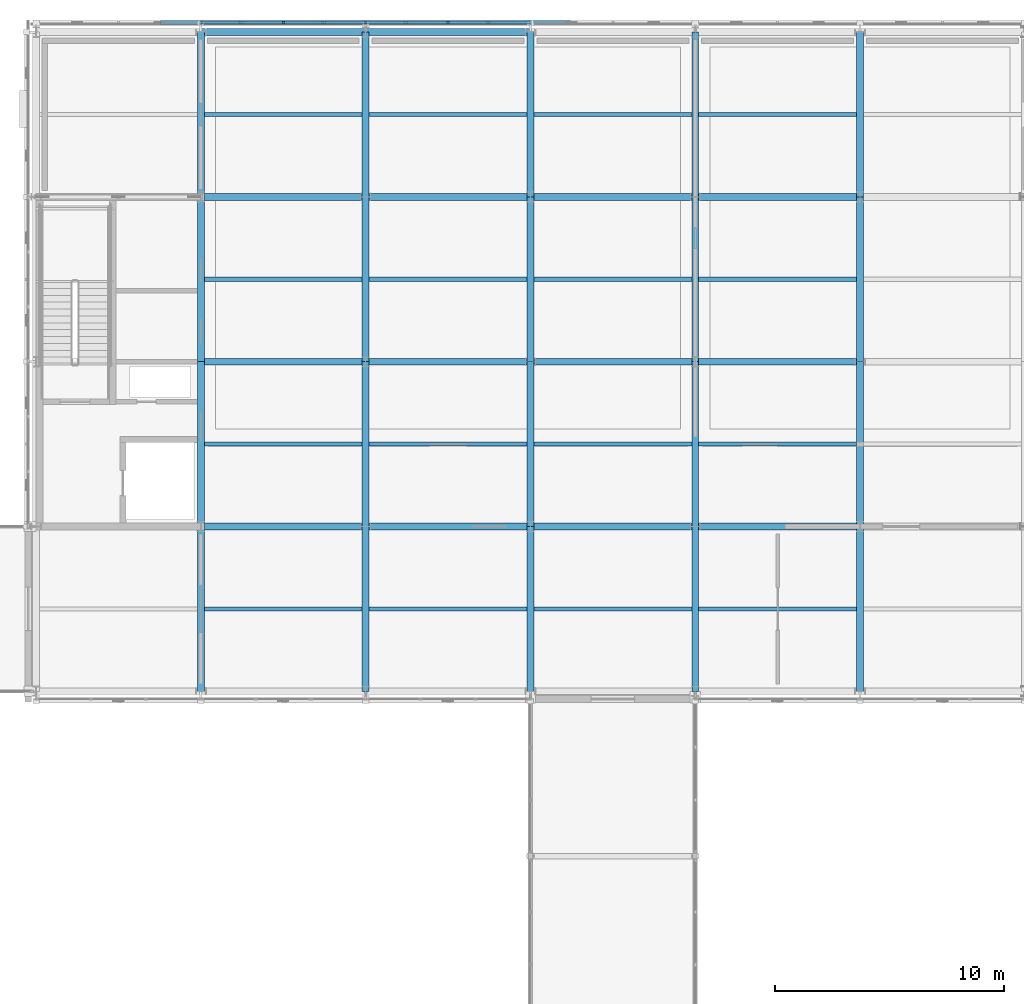
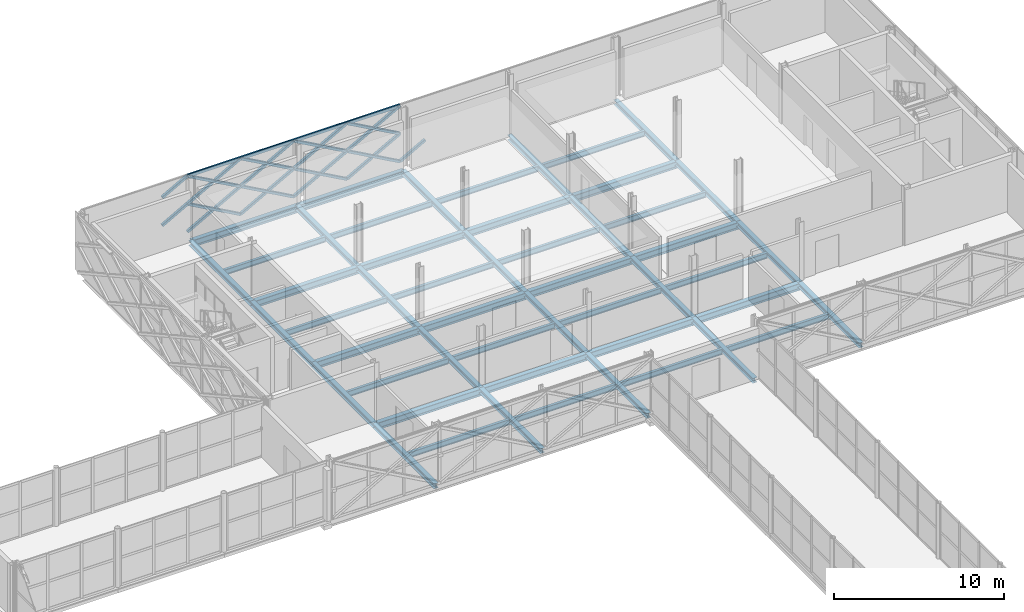
# One storey, part 63 of 146: 50 beams, 29 members.
"""IFC4 building model written with IfcOpenShell, lengths in metres."""

from ifc_helpers import new_model, si_unit, direction, frame, origin, origin_2d, place, context, subcontext, project, spatial, hollow_rectangle, i_section, extrude, material, material_profile, profile_set, type_object, element, save


model = new_model("IFC4")

# Units and contexts
model_context = context("Model", 3, precision=1e-05, world=origin(), true_north=direction((0.0, 1.0)))
body_context = subcontext(model_context, "Body", "Model", "MODEL_VIEW")
ifc_project = project(units=[si_unit("LENGTHUNIT", "METRE"), si_unit("AREAUNIT", "SQUARE_METRE"), si_unit("VOLUMEUNIT", "CUBIC_METRE"), si_unit("PLANEANGLEUNIT", "RADIAN"), si_unit("MASSUNIT", "GRAM", prefix="KILO")], contexts=[model_context])

# Site, building, storey
site_placement = place(None, origin())
site = spatial("IfcSite", under=ifc_project, at=site_placement, CompositionType="ELEMENT")
building_placement = place(site_placement, origin())
building = spatial("IfcBuilding", under=site, at=building_placement, Name="Zlatovets Crest Museum", CompositionType="ELEMENT")
storey_placement = place(building_placement, frame((0.0, 0.0, 4.5)))
storey = spatial("IfcBuildingStorey", under=building, at=storey_placement, Name="L01", CompositionType="ELEMENT", Elevation=4.5)

# Beams
ifc_material_1 = material(Name="Structural steel S355J2", Category="steel")
ifc_material_profile_1 = material_profile(ifc_material_1, i_section(OverallWidth=0.300048828125, OverallDepth=0.489990234375, WebThickness=0.011962890625, FlangeThickness=0.02294921875, FilletRadius=0.027099609375, at=origin_2d()), Name="HEA 500")
ifc_profile_set_1 = profile_set([ifc_material_profile_1], Name="Structural steel S355J2")
beam_type_1 = type_object("IfcBeamType", Name="Beam_B-01", PredefinedType="BEAM", material=ifc_profile_set_1)
for number, where, z_axis, x_axis, name in (
    (1, (64.800048828125, 93.60009765625, -0.465087890625), (1.0, 0.0, 0.0), (0.0, 1.0, 0.0), "V1 L01 Primary Girder B-01"),
    (2, (72.0, 93.60009765625, -0.465087890625), (1.0, 0.0, 0.0), (0.0, 1.0, 0.0), "V1 L01 Primary Girder B-01"),
    (3, (79.199951171875, 93.60009765625, -0.465087890625), (1.0, 0.0, 0.0), (0.0, 1.0, 0.0), "V1 L01 Primary Girder B-01"),
):
    element("IfcBeam", number, at=place(storey_placement, frame(where, z_axis=z_axis, x_axis=x_axis)), inside=storey, type_object=beam_type_1, Name=name, PredefinedType="BEAM", context=body_context, shape_type="SweptSolid", body=[
        extrude(i_section(OverallWidth=0.300048828125, OverallDepth=0.489990234375, WebThickness=0.011962890625, FlangeThickness=0.02294921875, FilletRadius=0.027099609375, at=origin_2d()), origin(), (0.0, 0.0, 1.0), 7.199951171875),
    ])
beam_1_placement = place(storey_placement, frame((86.39990234375, 93.60009765625, -0.465087890625), z_axis=(1.0, 0.0, 0.0), x_axis=(0.0, 1.0, 0.0)))
element("IfcBeam", 4, at=beam_1_placement, inside=storey, type_object=beam_type_1, Name="V1 L01 Primary Girder B-01", PredefinedType="BEAM", context=body_context, shape_type="SweptSolid", body=[
    extrude(i_section(OverallWidth=0.300048828125, OverallDepth=0.489990234375, WebThickness=0.011962890625, FlangeThickness=0.02294921875, FilletRadius=0.027099609375, at=origin_2d()), origin(), (0.0, 0.0, 1.0), 7.2001953125),
])
for number, where, z_axis, x_axis, name in (
    (5, (64.800048828125, 100.800048828125, -0.465087890625), (1.0, 0.0, 0.0), (0.0, 1.0, 0.0), "V1 L01 Primary Girder B-01"),
    (6, (72.0, 100.800048828125, -0.465087890625), (1.0, 0.0, 0.0), (0.0, 1.0, 0.0), "V1 L01 Primary Girder B-01"),
    (7, (79.199951171875, 100.800048828125, -0.465087890625), (1.0, 0.0, 0.0), (0.0, 1.0, 0.0), "V1 L01 Primary Girder B-01"),
):
    element("IfcBeam", number, at=place(storey_placement, frame(where, z_axis=z_axis, x_axis=x_axis)), inside=storey, type_object=beam_type_1, Name=name, PredefinedType="BEAM", context=body_context, shape_type="SweptSolid", body=[
        extrude(i_section(OverallWidth=0.300048828125, OverallDepth=0.489990234375, WebThickness=0.011962890625, FlangeThickness=0.02294921875, FilletRadius=0.027099609375, at=origin_2d()), origin(), (0.0, 0.0, 1.0), 7.199951171875),
    ])
beam_2_placement = place(storey_placement, frame((86.39990234375, 100.800048828125, -0.465087890625), z_axis=(1.0, 0.0, 0.0), x_axis=(0.0, 1.0, 0.0)))
element("IfcBeam", 8, at=beam_2_placement, inside=storey, type_object=beam_type_1, Name="V1 L01 Primary Girder B-01", PredefinedType="BEAM", context=body_context, shape_type="SweptSolid", body=[
    extrude(i_section(OverallWidth=0.300048828125, OverallDepth=0.489990234375, WebThickness=0.011962890625, FlangeThickness=0.02294921875, FilletRadius=0.027099609375, at=origin_2d()), origin(), (0.0, 0.0, 1.0), 7.2001953125),
])
for number, where, z_axis, x_axis, name in (
    (9, (64.800048828125, 108.0, -0.465087890625), (1.0, 0.0, 0.0), (0.0, 1.0, 0.0), "V1 L01 Primary Girder B-01"),
    (10, (72.0, 108.0, -0.465087890625), (1.0, 0.0, 0.0), (0.0, 1.0, 0.0), "V1 L01 Primary Girder B-01"),
    (11, (79.199951171875, 108.0, -0.465087890625), (1.0, 0.0, 0.0), (0.0, 1.0, 0.0), "V1 L01 Primary Girder B-01"),
):
    element("IfcBeam", number, at=place(storey_placement, frame(where, z_axis=z_axis, x_axis=x_axis)), inside=storey, type_object=beam_type_1, Name=name, PredefinedType="BEAM", context=body_context, shape_type="SweptSolid", body=[
        extrude(i_section(OverallWidth=0.300048828125, OverallDepth=0.489990234375, WebThickness=0.011962890625, FlangeThickness=0.02294921875, FilletRadius=0.027099609375, at=origin_2d()), origin(), (0.0, 0.0, 1.0), 7.199951171875),
    ])
beam_3_placement = place(storey_placement, frame((86.39990234375, 108.0, -0.465087890625), z_axis=(1.0, 0.0, 0.0), x_axis=(0.0, 1.0, 0.0)))
element("IfcBeam", 12, at=beam_3_placement, inside=storey, type_object=beam_type_1, Name="V1 L01 Primary Girder B-01", PredefinedType="BEAM", context=body_context, shape_type="SweptSolid", body=[
    extrude(i_section(OverallWidth=0.300048828125, OverallDepth=0.489990234375, WebThickness=0.011962890625, FlangeThickness=0.02294921875, FilletRadius=0.027099609375, at=origin_2d()), origin(), (0.0, 0.0, 1.0), 7.2001953125),
])
for number, where, z_axis, x_axis, name in (
    (13, (64.800048828125, 115.199951171875, -0.465087890625), (1.0, 0.0, 0.0), (0.0, 1.0, 0.0), "V1 L01 Primary Girder B-01"),
    (14, (72.0, 115.199951171875, -0.465087890625), (1.0, 0.0, 0.0), (0.0, 1.0, 0.0), "V1 L01 Primary Girder B-01"),
):
    element("IfcBeam", number, at=place(storey_placement, frame(where, z_axis=z_axis, x_axis=x_axis)), inside=storey, type_object=beam_type_1, Name=name, PredefinedType="BEAM", context=body_context, shape_type="SweptSolid", body=[
        extrude(i_section(OverallWidth=0.300048828125, OverallDepth=0.489990234375, WebThickness=0.011962890625, FlangeThickness=0.02294921875, FilletRadius=0.027099609375, at=origin_2d()), origin(), (0.0, 0.0, 1.0), 7.199951171875),
    ])
ifc_material_profile_2 = material_profile(ifc_material_1, i_section(OverallWidth=0.300048828125, OverallDepth=0.35009765625, WebThickness=0.010009765625, FlangeThickness=0.017578125, FilletRadius=0.027099609375, at=origin_2d()), Name="HEA 360")
ifc_profile_set_2 = profile_set([ifc_material_profile_2], Name="Structural steel S355J2")
beam_type_2 = type_object("IfcBeamType", Name="Beam_B-03", PredefinedType="BEAM", material=ifc_profile_set_2)
beam_4_placement = place(storey_placement, frame((64.800048828125, 86.39990234375, -0.39501953125), z_axis=(0.0, 1.0, 0.0), x_axis=(-1.0, 0.0, 0.0)))
element("IfcBeam", 15, at=beam_4_placement, inside=storey, type_object=beam_type_2, Name="V1 L01 Grid Beam B-03", PredefinedType="BEAM", context=body_context, shape_type="SweptSolid", body=[
    extrude(i_section(OverallWidth=0.300048828125, OverallDepth=0.35009765625, WebThickness=0.010009765625, FlangeThickness=0.017578125, FilletRadius=0.027099609375, at=origin_2d()), origin(), (0.0, 0.0, 1.0), 7.2001953125),
])
for number, where, z_axis, x_axis, name in (
    (16, (64.800048828125, 93.60009765625, -0.39501953125), (0.0, 1.0, 0.0), (-1.0, 0.0, 0.0), "V1 L01 Grid Beam B-03"),
    (17, (64.800048828125, 100.800048828125, -0.39501953125), (0.0, 1.0, 0.0), (-1.0, 0.0, 0.0), "V1 L01 Grid Beam B-03"),
    (18, (64.800048828125, 108.0, -0.39501953125), (0.0, 1.0, 0.0), (-1.0, 0.0, 0.0), "V1 L01 Grid Beam B-03"),
):
    element("IfcBeam", number, at=place(storey_placement, frame(where, z_axis=z_axis, x_axis=x_axis)), inside=storey, type_object=beam_type_2, Name=name, PredefinedType="BEAM", context=body_context, shape_type="SweptSolid", body=[
        extrude(i_section(OverallWidth=0.300048828125, OverallDepth=0.35009765625, WebThickness=0.010009765625, FlangeThickness=0.017578125, FilletRadius=0.027099609375, at=origin_2d()), origin(), (0.0, 0.0, 1.0), 7.199951171875),
    ])
beam_5_placement = place(storey_placement, frame((72.0, 86.39990234375, -0.39501953125), z_axis=(0.0, 1.0, 0.0), x_axis=(-1.0, 0.0, 0.0)))
element("IfcBeam", 19, at=beam_5_placement, inside=storey, type_object=beam_type_2, Name="V1 L01 Grid Beam B-03", PredefinedType="BEAM", context=body_context, shape_type="SweptSolid", body=[
    extrude(i_section(OverallWidth=0.300048828125, OverallDepth=0.35009765625, WebThickness=0.010009765625, FlangeThickness=0.017578125, FilletRadius=0.027099609375, at=origin_2d()), origin(), (0.0, 0.0, 1.0), 7.2001953125),
])
for number, where, z_axis, x_axis, name in (
    (20, (72.0, 93.60009765625, -0.39501953125), (0.0, 1.0, 0.0), (-1.0, 0.0, 0.0), "V1 L01 Grid Beam B-03"),
    (21, (72.0, 100.800048828125, -0.39501953125), (0.0, 1.0, 0.0), (-1.0, 0.0, 0.0), "V1 L01 Grid Beam B-03"),
    (22, (72.0, 108.0, -0.39501953125), (0.0, 1.0, 0.0), (-1.0, 0.0, 0.0), "V1 L01 Grid Beam B-03"),
):
    element("IfcBeam", number, at=place(storey_placement, frame(where, z_axis=z_axis, x_axis=x_axis)), inside=storey, type_object=beam_type_2, Name=name, PredefinedType="BEAM", context=body_context, shape_type="SweptSolid", body=[
        extrude(i_section(OverallWidth=0.300048828125, OverallDepth=0.35009765625, WebThickness=0.010009765625, FlangeThickness=0.017578125, FilletRadius=0.027099609375, at=origin_2d()), origin(), (0.0, 0.0, 1.0), 7.199951171875),
    ])
beam_6_placement = place(storey_placement, frame((79.199951171875, 86.39990234375, -0.39501953125), z_axis=(0.0, 1.0, 0.0), x_axis=(-1.0, 0.0, 0.0)))
element("IfcBeam", 23, at=beam_6_placement, inside=storey, type_object=beam_type_2, Name="V1 L01 Grid Beam B-03", PredefinedType="BEAM", context=body_context, shape_type="SweptSolid", body=[
    extrude(i_section(OverallWidth=0.300048828125, OverallDepth=0.35009765625, WebThickness=0.010009765625, FlangeThickness=0.017578125, FilletRadius=0.027099609375, at=origin_2d()), origin(), (0.0, 0.0, 1.0), 7.2001953125),
])
for number, where, z_axis, x_axis, name in (
    (24, (79.199951171875, 93.60009765625, -0.39501953125), (0.0, 1.0, 0.0), (-1.0, 0.0, 0.0), "V1 L01 Grid Beam B-03"),
    (25, (79.199951171875, 100.800048828125, -0.39501953125), (0.0, 1.0, 0.0), (-1.0, 0.0, 0.0), "V1 L01 Grid Beam B-03"),
    (26, (79.199951171875, 108.0, -0.39501953125), (0.0, 1.0, 0.0), (-1.0, 0.0, 0.0), "V1 L01 Grid Beam B-03"),
):
    element("IfcBeam", number, at=place(storey_placement, frame(where, z_axis=z_axis, x_axis=x_axis)), inside=storey, type_object=beam_type_2, Name=name, PredefinedType="BEAM", context=body_context, shape_type="SweptSolid", body=[
        extrude(i_section(OverallWidth=0.300048828125, OverallDepth=0.35009765625, WebThickness=0.010009765625, FlangeThickness=0.017578125, FilletRadius=0.027099609375, at=origin_2d()), origin(), (0.0, 0.0, 1.0), 7.199951171875),
    ])
beam_7_placement = place(storey_placement, frame((86.39990234375, 86.39990234375, -0.39501953125), z_axis=(0.0, 1.0, 0.0), x_axis=(-1.0, 0.0, 0.0)))
element("IfcBeam", 27, at=beam_7_placement, inside=storey, type_object=beam_type_2, Name="V1 L01 Grid Beam B-03", PredefinedType="BEAM", context=body_context, shape_type="SweptSolid", body=[
    extrude(i_section(OverallWidth=0.300048828125, OverallDepth=0.35009765625, WebThickness=0.010009765625, FlangeThickness=0.017578125, FilletRadius=0.027099609375, at=origin_2d()), origin(), (0.0, 0.0, 1.0), 7.2001953125),
])
for number, where, z_axis, x_axis, name in (
    (28, (86.39990234375, 93.60009765625, -0.39501953125), (0.0, 1.0, 0.0), (-1.0, 0.0, 0.0), "V1 L01 Grid Beam B-03"),
    (29, (86.39990234375, 100.800048828125, -0.39501953125), (0.0, 1.0, 0.0), (-1.0, 0.0, 0.0), "V1 L01 Grid Beam B-03"),
    (30, (86.39990234375, 108.0, -0.39501953125), (0.0, 1.0, 0.0), (-1.0, 0.0, 0.0), "V1 L01 Grid Beam B-03"),
):
    element("IfcBeam", number, at=place(storey_placement, frame(where, z_axis=z_axis, x_axis=x_axis)), inside=storey, type_object=beam_type_2, Name=name, PredefinedType="BEAM", context=body_context, shape_type="SweptSolid", body=[
        extrude(i_section(OverallWidth=0.300048828125, OverallDepth=0.35009765625, WebThickness=0.010009765625, FlangeThickness=0.017578125, FilletRadius=0.027099609375, at=origin_2d()), origin(), (0.0, 0.0, 1.0), 7.199951171875),
    ])
beam_8_placement = place(storey_placement, frame((93.60009765625, 86.39990234375, -0.39501953125), z_axis=(0.0, 1.0, 0.0), x_axis=(-1.0, 0.0, 0.0)))
element("IfcBeam", 31, at=beam_8_placement, inside=storey, type_object=beam_type_2, Name="V1 L01 Grid Beam B-03", PredefinedType="BEAM", context=body_context, shape_type="SweptSolid", body=[
    extrude(i_section(OverallWidth=0.300048828125, OverallDepth=0.35009765625, WebThickness=0.010009765625, FlangeThickness=0.017578125, FilletRadius=0.027099609375, at=origin_2d()), origin(), (0.0, 0.0, 1.0), 7.2001953125),
])
for number, where, z_axis, x_axis, name in (
    (32, (93.60009765625, 93.60009765625, -0.39501953125), (0.0, 1.0, 0.0), (-1.0, 0.0, 0.0), "V1 L01 Grid Beam B-03"),
    (33, (93.60009765625, 100.800048828125, -0.39501953125), (0.0, 1.0, 0.0), (-1.0, 0.0, 0.0), "V1 L01 Grid Beam B-03"),
    (34, (93.60009765625, 108.0, -0.39501953125), (0.0, 1.0, 0.0), (-1.0, 0.0, 0.0), "V1 L01 Grid Beam B-03"),
):
    element("IfcBeam", number, at=place(storey_placement, frame(where, z_axis=z_axis, x_axis=x_axis)), inside=storey, type_object=beam_type_2, Name=name, PredefinedType="BEAM", context=body_context, shape_type="SweptSolid", body=[
        extrude(i_section(OverallWidth=0.300048828125, OverallDepth=0.35009765625, WebThickness=0.010009765625, FlangeThickness=0.017578125, FilletRadius=0.027099609375, at=origin_2d()), origin(), (0.0, 0.0, 1.0), 7.199951171875),
    ])
ifc_material_profile_3 = material_profile(ifc_material_1, i_section(OverallWidth=0.179931640625, OverallDepth=0.39990234375, WebThickness=0.008544921875, FlangeThickness=0.013427734375, FilletRadius=0.02099609375, at=origin_2d()), Name="IPE 400")
ifc_profile_set_3 = profile_set([ifc_material_profile_3], Name="Structural steel S355J2")
beam_type_3 = type_object("IfcBeamType", Name="Beam_J-04", PredefinedType="JOIST", material=ifc_profile_set_3)
for number, where, z_axis, x_axis, name in (
    (35, (64.949951171875, 90.0, -0.419921875), (1.0, 0.0, 0.0), (0.0, 1.0, 0.0), "V1 L01 Composite Joist J-04"),
    (36, (64.949951171875, 97.199951171875, -0.419921875), (1.0, 0.0, 0.0), (0.0, 1.0, 0.0), "V1 L01 Composite Joist J-04"),
    (37, (64.949951171875, 104.39990234375, -0.419921875), (1.0, 0.0, 0.0), (0.0, 1.0, 0.0), "V1 L01 Composite Joist J-04"),
    (38, (64.949951171875, 111.60009765625, -0.419921875), (1.0, 0.0, 0.0), (0.0, 1.0, 0.0), "V1 L01 Composite Joist J-04"),
    (39, (72.14990234375, 90.0, -0.419921875), (1.0, 0.0, 0.0), (0.0, 1.0, 0.0), "V1 L01 Composite Joist J-04"),
    (40, (72.14990234375, 97.199951171875, -0.419921875), (1.0, 0.0, 0.0), (0.0, 1.0, 0.0), "V1 L01 Composite Joist J-04"),
    (41, (72.14990234375, 104.39990234375, -0.419921875), (1.0, 0.0, 0.0), (0.0, 1.0, 0.0), "V1 L01 Composite Joist J-04"),
    (42, (72.14990234375, 111.60009765625, -0.419921875), (1.0, 0.0, 0.0), (0.0, 1.0, 0.0), "V1 L01 Composite Joist J-04"),
):
    element("IfcBeam", number, at=place(storey_placement, frame(where, z_axis=z_axis, x_axis=x_axis)), inside=storey, type_object=beam_type_3, Name=name, PredefinedType="JOIST", context=body_context, shape_type="SweptSolid", body=[
        extrude(i_section(OverallWidth=0.179931640625, OverallDepth=0.39990234375, WebThickness=0.008544921875, FlangeThickness=0.013427734375, FilletRadius=0.02099609375, at=origin_2d()), origin(), (0.0, 0.0, 1.0), 6.900146484375),
    ])
for number, where, z_axis, x_axis, name in (
    (43, (79.35009765625, 90.0, -0.419921875), (1.0, 0.0, 0.0), (0.0, 1.0, 0.0), "V1 L01 Composite Joist J-04"),
    (44, (79.35009765625, 97.199951171875, -0.419921875), (1.0, 0.0, 0.0), (0.0, 1.0, 0.0), "V1 L01 Composite Joist J-04"),
    (45, (79.35009765625, 104.39990234375, -0.419921875), (1.0, 0.0, 0.0), (0.0, 1.0, 0.0), "V1 L01 Composite Joist J-04"),
    (46, (79.35009765625, 111.60009765625, -0.419921875), (1.0, 0.0, 0.0), (0.0, 1.0, 0.0), "V1 L01 Composite Joist J-04"),
    (47, (86.550048828125, 90.0, -0.419921875), (1.0, 0.0, 0.0), (0.0, 1.0, 0.0), "V1 L01 Composite Joist J-04"),
    (48, (86.550048828125, 97.199951171875, -0.419921875), (1.0, 0.0, 0.0), (0.0, 1.0, 0.0), "V1 L01 Composite Joist J-04"),
    (49, (86.550048828125, 104.39990234375, -0.419921875), (1.0, 0.0, 0.0), (0.0, 1.0, 0.0), "V1 L01 Composite Joist J-04"),
    (50, (86.550048828125, 111.60009765625, -0.419921875), (1.0, 0.0, 0.0), (0.0, 1.0, 0.0), "V1 L01 Composite Joist J-04"),
):
    element("IfcBeam", number, at=place(storey_placement, frame(where, z_axis=z_axis, x_axis=x_axis)), inside=storey, type_object=beam_type_3, Name=name, PredefinedType="JOIST", context=body_context, shape_type="SweptSolid", body=[
        extrude(i_section(OverallWidth=0.179931640625, OverallDepth=0.39990234375, WebThickness=0.008544921875, FlangeThickness=0.013427734375, FilletRadius=0.02099609375, at=origin_2d()), origin(), (0.0, 0.0, 1.0), 6.89990234375),
    ])

# Members
ifc_material_2 = material(Name="Weathering bronze-steel S355J2W", Category="steel")
ifc_material_profile_4 = material_profile(ifc_material_2, hollow_rectangle(XDim=0.179931640625, YDim=0.179931640625, WallThickness=0.010009765625, InnerFilletRadius=0.010009765625, OuterFilletRadius=0.02001953125, at=origin_2d()), Name="SHS 180x180x10.0")
ifc_profile_set_4 = profile_set([ifc_material_profile_4], Name="Weathering bronze-steel S355J2W")
member_type_1 = type_object("IfcMemberType", Name="Lattice_XL-01", PredefinedType="BRACE", material=ifc_profile_set_4)
member_1_placement = place(storey_placement, frame((80.9169921875, 115.6201171875, 1.053955078125), z_axis=(-0.874169001841, 0.0, -0.485621824284), x_axis=(0.0, -1.0, 0.0)))
element("IfcMember", 51, at=member_1_placement, inside=storey, type_object=member_type_1, Name="Split Crossing Bronze Lattice Diagonal Lower", PredefinedType="BRACE", context=body_context, shape_type="SweptSolid", body=[
    extrude(hollow_rectangle(XDim=0.179931640625, YDim=0.179931640625, WallThickness=0.010009765625, InnerFilletRadius=0.010009765625, OuterFilletRadius=0.02001953125, at=origin_2d()), origin(), (0.0, 0.0, 1.0), 1.964111328125),
])
member_2_placement = place(storey_placement, frame((79.199951171875, 115.6201171875, 0.10009765625), z_axis=(-0.874148886685, 0.0, 0.485658031857), x_axis=(0.0, -1.0, 0.0)))
element("IfcMember", 52, at=member_2_placement, inside=storey, type_object=member_type_1, Name="Continuous Bronze Lattice Diagonal", PredefinedType="BRACE", context=body_context, shape_type="SweptSolid", body=[
    extrude(hollow_rectangle(XDim=0.179931640625, YDim=0.179931640625, WallThickness=0.010009765625, InnerFilletRadius=0.010009765625, OuterFilletRadius=0.02001953125, at=origin_2d()), origin(), (0.0, 0.0, 1.0), 4.1181640625),
])
member_3_placement = place(storey_placement, frame((79.199951171875, 115.6201171875, 2.10009765625), z_axis=(-0.874116234569, 0.0, -0.48571679862), x_axis=(0.0, -1.0, 0.0)))
element("IfcMember", 53, at=member_3_placement, inside=storey, type_object=member_type_1, Name="Split Crossing Bronze Lattice Diagonal Upper", PredefinedType="BRACE", context=body_context, shape_type="SweptSolid", body=[
    extrude(hollow_rectangle(XDim=0.179931640625, YDim=0.179931640625, WallThickness=0.010009765625, InnerFilletRadius=0.010009765625, OuterFilletRadius=0.02001953125, at=origin_2d()), origin(), (0.0, 0.0, 1.0), 1.96435546875),
])
member_4_placement = place(storey_placement, frame((77.31689453125, 115.6201171875, 1.053955078125), z_axis=(-0.874139684676, 0.0, -0.48567459443), x_axis=(0.0, -1.0, 0.0)))
element("IfcMember", 54, at=member_4_placement, inside=storey, type_object=member_type_1, Name="Split Crossing Bronze Lattice Diagonal Lower", PredefinedType="BRACE", context=body_context, shape_type="SweptSolid", body=[
    extrude(hollow_rectangle(XDim=0.179931640625, YDim=0.179931640625, WallThickness=0.010009765625, InnerFilletRadius=0.010009765625, OuterFilletRadius=0.02001953125, at=origin_2d()), origin(), (0.0, 0.0, 1.0), 1.9638671875),
])
member_5_placement = place(storey_placement, frame((75.60009765625, 115.6201171875, 0.10009765625), z_axis=(-0.874162868644, 0.0, 0.485632864501), x_axis=(0.0, -1.0, 0.0)))
element("IfcMember", 55, at=member_5_placement, inside=storey, type_object=member_type_1, Name="Continuous Bronze Lattice Diagonal", PredefinedType="BRACE", context=body_context, shape_type="SweptSolid", body=[
    extrude(hollow_rectangle(XDim=0.179931640625, YDim=0.179931640625, WallThickness=0.010009765625, InnerFilletRadius=0.010009765625, OuterFilletRadius=0.02001953125, at=origin_2d()), origin(), (0.0, 0.0, 1.0), 4.118408203125),
])
member_6_placement = place(storey_placement, frame((75.60009765625, 115.6201171875, 2.10009765625), z_axis=(-0.874116234569, 0.0, -0.48571679862), x_axis=(0.0, -1.0, 0.0)))
element("IfcMember", 56, at=member_6_placement, inside=storey, type_object=member_type_1, Name="Split Crossing Bronze Lattice Diagonal Upper", PredefinedType="BRACE", context=body_context, shape_type="SweptSolid", body=[
    extrude(hollow_rectangle(XDim=0.179931640625, YDim=0.179931640625, WallThickness=0.010009765625, InnerFilletRadius=0.010009765625, OuterFilletRadius=0.02001953125, at=origin_2d()), origin(), (0.0, 0.0, 1.0), 1.96435546875),
])
member_7_placement = place(storey_placement, frame((73.717041015625, 115.6201171875, 1.053955078125), z_axis=(-0.874169001841, 0.0, -0.485621824284), x_axis=(0.0, -1.0, 0.0)))
element("IfcMember", 57, at=member_7_placement, inside=storey, type_object=member_type_1, Name="Split Crossing Bronze Lattice Diagonal Lower", PredefinedType="BRACE", context=body_context, shape_type="SweptSolid", body=[
    extrude(hollow_rectangle(XDim=0.179931640625, YDim=0.179931640625, WallThickness=0.010009765625, InnerFilletRadius=0.010009765625, OuterFilletRadius=0.02001953125, at=origin_2d()), origin(), (0.0, 0.0, 1.0), 1.964111328125),
])
member_8_placement = place(storey_placement, frame((79.199951171875, 115.6201171875, 2.10009765625), z_axis=(-0.874148886685, 0.0, 0.485658031857), x_axis=(0.0, -1.0, 0.0)))
element("IfcMember", 58, at=member_8_placement, inside=storey, type_object=member_type_1, Name="Continuous Bronze Lattice Diagonal", PredefinedType="BRACE", context=body_context, shape_type="SweptSolid", body=[
    extrude(hollow_rectangle(XDim=0.179931640625, YDim=0.179931640625, WallThickness=0.010009765625, InnerFilletRadius=0.010009765625, OuterFilletRadius=0.02001953125, at=origin_2d()), origin(), (0.0, 0.0, 1.0), 4.1181640625),
])
member_9_placement = place(storey_placement, frame((79.199951171875, 115.6201171875, 4.10009765625), z_axis=(-0.874116234569, 0.0, -0.48571679862), x_axis=(0.0, -1.0, 0.0)))
element("IfcMember", 59, at=member_9_placement, inside=storey, type_object=member_type_1, Name="Split Crossing Bronze Lattice Diagonal Upper", PredefinedType="BRACE", context=body_context, shape_type="SweptSolid", body=[
    extrude(hollow_rectangle(XDim=0.179931640625, YDim=0.179931640625, WallThickness=0.010009765625, InnerFilletRadius=0.010009765625, OuterFilletRadius=0.02001953125, at=origin_2d()), origin(), (0.0, 0.0, 1.0), 1.96435546875),
])
member_10_placement = place(storey_placement, frame((77.31689453125, 115.6201171875, 3.053955078125), z_axis=(-0.874139684676, 0.0, -0.48567459443), x_axis=(0.0, -1.0, 0.0)))
element("IfcMember", 60, at=member_10_placement, inside=storey, type_object=member_type_1, Name="Split Crossing Bronze Lattice Diagonal Lower", PredefinedType="BRACE", context=body_context, shape_type="SweptSolid", body=[
    extrude(hollow_rectangle(XDim=0.179931640625, YDim=0.179931640625, WallThickness=0.010009765625, InnerFilletRadius=0.010009765625, OuterFilletRadius=0.02001953125, at=origin_2d()), origin(), (0.0, 0.0, 1.0), 1.9638671875),
])
member_11_placement = place(storey_placement, frame((75.60009765625, 115.6201171875, 2.10009765625), z_axis=(-0.874162868644, 0.0, 0.485632864501), x_axis=(0.0, -1.0, 0.0)))
element("IfcMember", 61, at=member_11_placement, inside=storey, type_object=member_type_1, Name="Continuous Bronze Lattice Diagonal", PredefinedType="BRACE", context=body_context, shape_type="SweptSolid", body=[
    extrude(hollow_rectangle(XDim=0.179931640625, YDim=0.179931640625, WallThickness=0.010009765625, InnerFilletRadius=0.010009765625, OuterFilletRadius=0.02001953125, at=origin_2d()), origin(), (0.0, 0.0, 1.0), 4.118408203125),
])
member_12_placement = place(storey_placement, frame((75.60009765625, 115.6201171875, 4.10009765625), z_axis=(-0.874116234569, 0.0, -0.48571679862), x_axis=(0.0, -1.0, 0.0)))
element("IfcMember", 62, at=member_12_placement, inside=storey, type_object=member_type_1, Name="Split Crossing Bronze Lattice Diagonal Upper", PredefinedType="BRACE", context=body_context, shape_type="SweptSolid", body=[
    extrude(hollow_rectangle(XDim=0.179931640625, YDim=0.179931640625, WallThickness=0.010009765625, InnerFilletRadius=0.010009765625, OuterFilletRadius=0.02001953125, at=origin_2d()), origin(), (0.0, 0.0, 1.0), 1.96435546875),
])
member_13_placement = place(storey_placement, frame((73.717041015625, 115.6201171875, 3.053955078125), z_axis=(-0.874169001841, 0.0, -0.485621824284), x_axis=(0.0, -1.0, 0.0)))
element("IfcMember", 63, at=member_13_placement, inside=storey, type_object=member_type_1, Name="Split Crossing Bronze Lattice Diagonal Lower", PredefinedType="BRACE", context=body_context, shape_type="SweptSolid", body=[
    extrude(hollow_rectangle(XDim=0.179931640625, YDim=0.179931640625, WallThickness=0.010009765625, InnerFilletRadius=0.010009765625, OuterFilletRadius=0.02001953125, at=origin_2d()), origin(), (0.0, 0.0, 1.0), 1.964111328125),
])
member_14_placement = place(storey_placement, frame((72.0, 115.6201171875, 0.10009765625), z_axis=(-0.874162868644, 0.0, 0.485632864501), x_axis=(0.0, -1.0, 0.0)))
element("IfcMember", 64, at=member_14_placement, inside=storey, type_object=member_type_1, Name="Continuous Bronze Lattice Diagonal", PredefinedType="BRACE", context=body_context, shape_type="SweptSolid", body=[
    extrude(hollow_rectangle(XDim=0.179931640625, YDim=0.179931640625, WallThickness=0.010009765625, InnerFilletRadius=0.010009765625, OuterFilletRadius=0.02001953125, at=origin_2d()), origin(), (0.0, 0.0, 1.0), 4.118408203125),
])
member_15_placement = place(storey_placement, frame((72.0, 115.6201171875, 2.10009765625), z_axis=(-0.874116234569, 0.0, -0.48571679862), x_axis=(0.0, -1.0, 0.0)))
element("IfcMember", 65, at=member_15_placement, inside=storey, type_object=member_type_1, Name="Split Crossing Bronze Lattice Diagonal Upper", PredefinedType="BRACE", context=body_context, shape_type="SweptSolid", body=[
    extrude(hollow_rectangle(XDim=0.179931640625, YDim=0.179931640625, WallThickness=0.010009765625, InnerFilletRadius=0.010009765625, OuterFilletRadius=0.02001953125, at=origin_2d()), origin(), (0.0, 0.0, 1.0), 1.96435546875),
])
member_16_placement = place(storey_placement, frame((70.116943359375, 115.6201171875, 1.053955078125), z_axis=(-0.874169001841, 0.0, -0.485621824284), x_axis=(0.0, -1.0, 0.0)))
element("IfcMember", 66, at=member_16_placement, inside=storey, type_object=member_type_1, Name="Split Crossing Bronze Lattice Diagonal Lower", PredefinedType="BRACE", context=body_context, shape_type="SweptSolid", body=[
    extrude(hollow_rectangle(XDim=0.179931640625, YDim=0.179931640625, WallThickness=0.010009765625, InnerFilletRadius=0.010009765625, OuterFilletRadius=0.02001953125, at=origin_2d()), origin(), (0.0, 0.0, 1.0), 1.964111328125),
])
member_17_placement = place(storey_placement, frame((68.39990234375, 115.6201171875, 0.10009765625), z_axis=(-0.874148886685, 0.0, 0.485658031857), x_axis=(0.0, -1.0, 0.0)))
element("IfcMember", 67, at=member_17_placement, inside=storey, type_object=member_type_1, Name="Continuous Bronze Lattice Diagonal", PredefinedType="BRACE", context=body_context, shape_type="SweptSolid", body=[
    extrude(hollow_rectangle(XDim=0.179931640625, YDim=0.179931640625, WallThickness=0.010009765625, InnerFilletRadius=0.010009765625, OuterFilletRadius=0.02001953125, at=origin_2d()), origin(), (0.0, 0.0, 1.0), 4.1181640625),
])
for number, where, z_axis, x_axis, name in (
    (68, (68.39990234375, 115.6201171875, 2.10009765625), (-0.874086907708, 0.0, -0.485769572713), (0.0, -1.0, 0.0), "Split Crossing Bronze Lattice Diagonal Upper"),
    (69, (66.51708984375, 115.6201171875, 1.053955078125), (-0.874169001841, 0.0, -0.485621824284), (0.0, -1.0, 0.0), "Split Crossing Bronze Lattice Diagonal Lower"),
):
    element("IfcMember", number, at=place(storey_placement, frame(where, z_axis=z_axis, x_axis=x_axis)), inside=storey, type_object=member_type_1, Name=name, PredefinedType="BRACE", context=body_context, shape_type="SweptSolid", body=[
        extrude(hollow_rectangle(XDim=0.179931640625, YDim=0.179931640625, WallThickness=0.010009765625, InnerFilletRadius=0.010009765625, OuterFilletRadius=0.02001953125, at=origin_2d()), origin(), (0.0, 0.0, 1.0), 1.964111328125),
    ])
member_18_placement = place(storey_placement, frame((72.0, 115.6201171875, 2.10009765625), z_axis=(-0.874162868644, 0.0, 0.485632864501), x_axis=(0.0, -1.0, 0.0)))
element("IfcMember", 70, at=member_18_placement, inside=storey, type_object=member_type_1, Name="Continuous Bronze Lattice Diagonal", PredefinedType="BRACE", context=body_context, shape_type="SweptSolid", body=[
    extrude(hollow_rectangle(XDim=0.179931640625, YDim=0.179931640625, WallThickness=0.010009765625, InnerFilletRadius=0.010009765625, OuterFilletRadius=0.02001953125, at=origin_2d()), origin(), (0.0, 0.0, 1.0), 4.118408203125),
])
member_19_placement = place(storey_placement, frame((72.0, 115.6201171875, 4.10009765625), z_axis=(-0.874116234569, 0.0, -0.48571679862), x_axis=(0.0, -1.0, 0.0)))
element("IfcMember", 71, at=member_19_placement, inside=storey, type_object=member_type_1, Name="Split Crossing Bronze Lattice Diagonal Upper", PredefinedType="BRACE", context=body_context, shape_type="SweptSolid", body=[
    extrude(hollow_rectangle(XDim=0.179931640625, YDim=0.179931640625, WallThickness=0.010009765625, InnerFilletRadius=0.010009765625, OuterFilletRadius=0.02001953125, at=origin_2d()), origin(), (0.0, 0.0, 1.0), 1.96435546875),
])
member_20_placement = place(storey_placement, frame((70.116943359375, 115.6201171875, 3.053955078125), z_axis=(-0.874169001841, 0.0, -0.485621824284), x_axis=(0.0, -1.0, 0.0)))
element("IfcMember", 72, at=member_20_placement, inside=storey, type_object=member_type_1, Name="Split Crossing Bronze Lattice Diagonal Lower", PredefinedType="BRACE", context=body_context, shape_type="SweptSolid", body=[
    extrude(hollow_rectangle(XDim=0.179931640625, YDim=0.179931640625, WallThickness=0.010009765625, InnerFilletRadius=0.010009765625, OuterFilletRadius=0.02001953125, at=origin_2d()), origin(), (0.0, 0.0, 1.0), 1.964111328125),
])
member_21_placement = place(storey_placement, frame((68.39990234375, 115.6201171875, 2.10009765625), z_axis=(-0.874148886685, 0.0, 0.485658031857), x_axis=(0.0, -1.0, 0.0)))
element("IfcMember", 73, at=member_21_placement, inside=storey, type_object=member_type_1, Name="Continuous Bronze Lattice Diagonal", PredefinedType="BRACE", context=body_context, shape_type="SweptSolid", body=[
    extrude(hollow_rectangle(XDim=0.179931640625, YDim=0.179931640625, WallThickness=0.010009765625, InnerFilletRadius=0.010009765625, OuterFilletRadius=0.02001953125, at=origin_2d()), origin(), (0.0, 0.0, 1.0), 4.1181640625),
])
for number, where, z_axis, x_axis, name in (
    (74, (68.39990234375, 115.6201171875, 4.10009765625), (-0.874086907708, 0.0, -0.485769572713), (0.0, -1.0, 0.0), "Split Crossing Bronze Lattice Diagonal Upper"),
    (75, (66.51708984375, 115.6201171875, 3.053955078125), (-0.874169001841, 0.0, -0.485621824284), (0.0, -1.0, 0.0), "Split Crossing Bronze Lattice Diagonal Lower"),
):
    element("IfcMember", number, at=place(storey_placement, frame(where, z_axis=z_axis, x_axis=x_axis)), inside=storey, type_object=member_type_1, Name=name, PredefinedType="BRACE", context=body_context, shape_type="SweptSolid", body=[
        extrude(hollow_rectangle(XDim=0.179931640625, YDim=0.179931640625, WallThickness=0.010009765625, InnerFilletRadius=0.010009765625, OuterFilletRadius=0.02001953125, at=origin_2d()), origin(), (0.0, 0.0, 1.0), 1.964111328125),
    ])
for number, where, z_axis, x_axis, name in (
    (76, (64.800048828125, 115.6201171875, 2.10009765625), (-0.874116234569, 0.0, -0.48571679862), (0.0, -1.0, 0.0), "Split Crossing Bronze Lattice Diagonal Upper"),
    (77, (64.800048828125, 115.6201171875, 4.10009765625), (-0.874116234569, 0.0, -0.48571679862), (0.0, -1.0, 0.0), "Split Crossing Bronze Lattice Diagonal Upper"),
):
    element("IfcMember", number, at=place(storey_placement, frame(where, z_axis=z_axis, x_axis=x_axis)), inside=storey, type_object=member_type_1, Name=name, PredefinedType="BRACE", context=body_context, shape_type="SweptSolid", body=[
        extrude(hollow_rectangle(XDim=0.179931640625, YDim=0.179931640625, WallThickness=0.010009765625, InnerFilletRadius=0.010009765625, OuterFilletRadius=0.02001953125, at=origin_2d()), origin(), (0.0, 0.0, 1.0), 1.96435546875),
    ])
ifc_material_profile_5 = material_profile(ifc_material_2, hollow_rectangle(XDim=0.1201171875, YDim=0.239990234375, WallThickness=0.010009765625, InnerFilletRadius=0.010009765625, OuterFilletRadius=0.02001953125, at=origin_2d()), Name="RHS 120x240x10.0")
ifc_profile_set_5 = profile_set([ifc_material_profile_5], Name="Weathering bronze-steel S355J2W")
member_type_2 = type_object("IfcMemberType", Name="Lattice_XL-04", PredefinedType="CHORD", material=ifc_profile_set_5)
for number, where, z_axis, x_axis, name in (
    (78, (79.199951171875, 115.6201171875, 4.10009765625), (-1.0, 0.0, 0.0), (0.0, -1.0, 0.0), "Art Nouveau Woven Cage Collector Ring Chord"),
    (79, (72.0, 115.6201171875, 4.10009765625), (-1.0, 0.0, 0.0), (0.0, -1.0, 0.0), "Art Nouveau Woven Cage Collector Ring Chord"),
):
    element("IfcMember", number, at=place(storey_placement, frame(where, z_axis=z_axis, x_axis=x_axis)), inside=storey, type_object=member_type_2, Name=name, PredefinedType="CHORD", context=body_context, shape_type="SweptSolid", body=[
        extrude(hollow_rectangle(XDim=0.1201171875, YDim=0.239990234375, WallThickness=0.010009765625, InnerFilletRadius=0.010009765625, OuterFilletRadius=0.02001953125, at=origin_2d()), origin(), (0.0, 0.0, 1.0), 7.199951171875),
    ])

save(model, "model.ifc")
